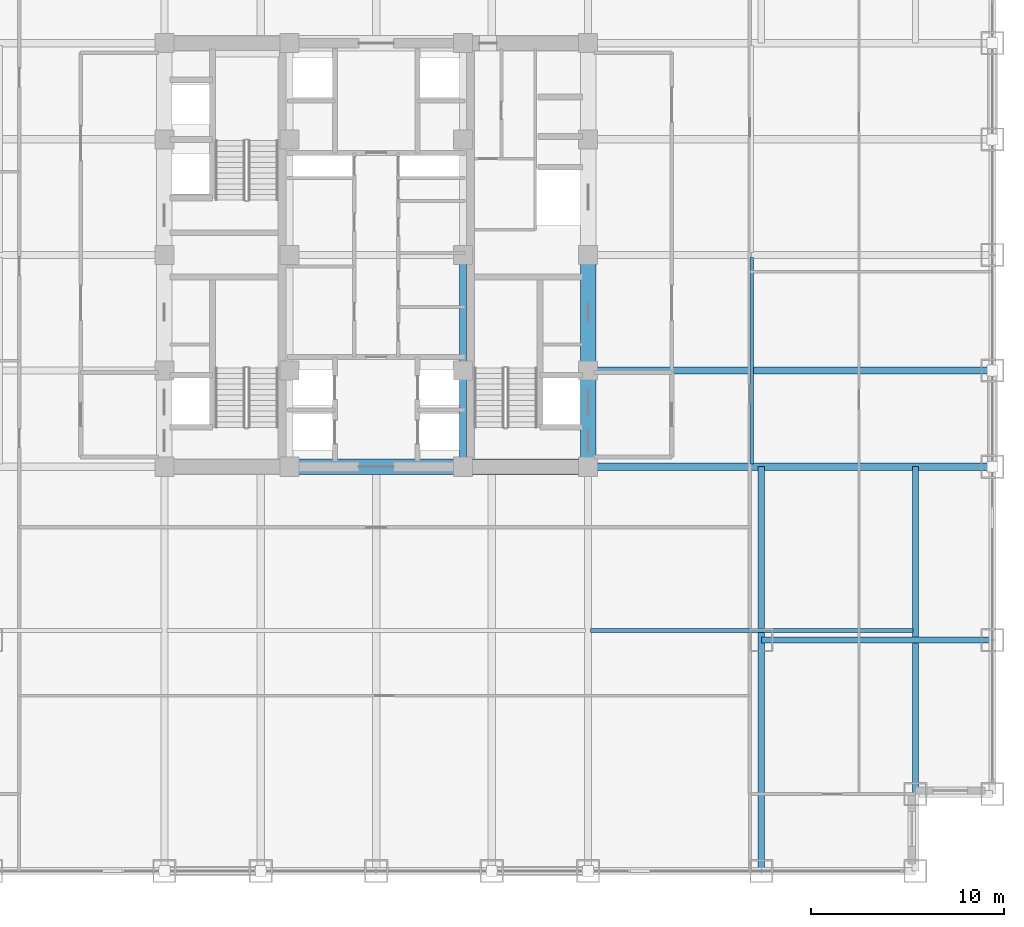
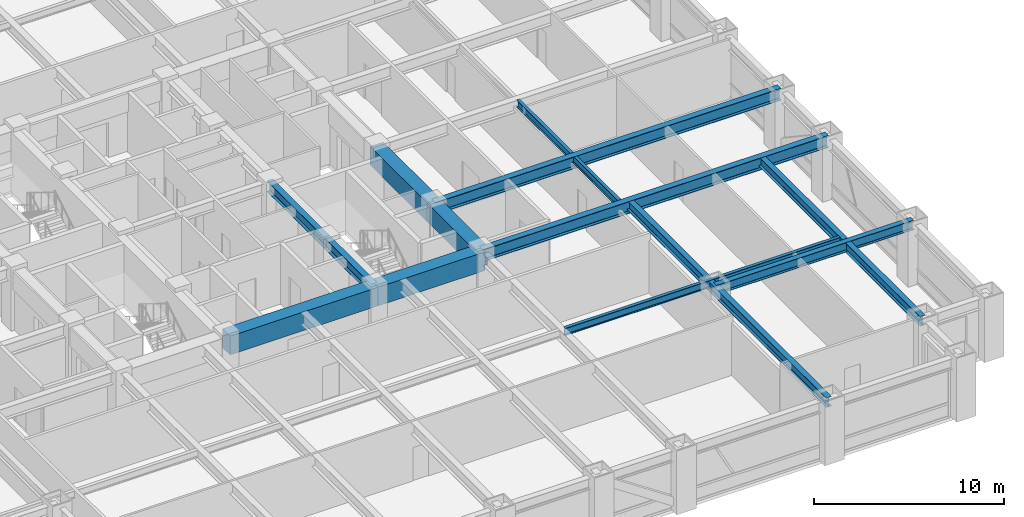
# One storey, part 7 of 28: 13 beams.
"""IFC4 building model written with IfcOpenShell, lengths in metres."""

from ifc_helpers import new_model, si_unit, direction, frame, origin, origin_2d, place, context, subcontext, project, spatial, rectangle, i_section, extrude, source, transform, mapped, material, material_profile, profile_set, type_object, element, save


model = new_model("IFC4")

# Units and contexts
model_context = context("Model", 3, precision=1e-05, world=origin(), true_north=direction((0.0, 1.0)))
body_context = subcontext(model_context, "Body", "Model", "MODEL_VIEW")
ifc_project = project(units=[si_unit("LENGTHUNIT", "METRE"), si_unit("AREAUNIT", "SQUARE_METRE"), si_unit("VOLUMEUNIT", "CUBIC_METRE"), si_unit("PLANEANGLEUNIT", "RADIAN"), si_unit("MASSUNIT", "GRAM", prefix="KILO")], contexts=[model_context])

# Site, building, storey
site_placement = place(None, origin())
site = spatial("IfcSite", under=ifc_project, at=site_placement, CompositionType="ELEMENT")
building_placement = place(site_placement, origin())
building = spatial("IfcBuilding", under=site, at=building_placement, Name="Khorayat Bourse Tower", CompositionType="ELEMENT")
storey_placement = place(building_placement, frame((0.0, 0.0, 124.199951171875)))
storey = spatial("IfcBuildingStorey", under=building, at=storey_placement, Name="L28", CompositionType="ELEMENT", Elevation=124.199951171875)

# Beams
ifc_material_1 = material(Name="Concrete C72/90", Category="concrete")
ifc_material_profile_1 = material_profile(ifc_material_1, rectangle(XDim=0.800048828125, YDim=1.199951171875, at=origin_2d()), Name="RC 800x1200")
ifc_profile_set_1 = profile_set([ifc_material_profile_1], Name="Concrete C72/90")
beam_type_1 = type_object("IfcBeamType", Name="BM-COUP-1200", PredefinedType="BEAM", material=ifc_profile_set_1)
shared_shape_1 = source(origin(), body_context, "Body", "SweptSolid", [
    extrude(rectangle(XDim=0.800048828125, YDim=1.199951171875, at=origin_2d()), origin(), (0.0, 0.0, 1.0), 5.0),
])
beam_1_placement = place(storey_placement, frame((11.0, -11.0, 3.239990234375), z_axis=(0.0, 1.0, 0.0), x_axis=(-1.0, 0.0, 0.0)))
element("IfcBeam", 1, at=beam_1_placement, inside=storey, type_object=beam_type_1, Name="L28 BM-COUP-1200 BM-L28-CRX-13", PredefinedType="BEAM", context=body_context, shape_type="MappedRepresentation", body=[
    mapped(shared_shape_1, transform((0.0, 0.0, 0.0), scale=1.0)),
])
shared_shape_2 = source(origin(), body_context, "Body", "SweptSolid", [
    extrude(rectangle(XDim=0.800048828125, YDim=1.199951171875, at=origin_2d()), origin(), (0.0, 0.0, 1.0), 6.0),
])
beam_2_placement = place(storey_placement, frame((11.0, -6.0, 3.239990234375), z_axis=(0.0, 1.0, 0.0), x_axis=(-1.0, 0.0, 0.0)))
element("IfcBeam", 2, at=beam_2_placement, inside=storey, type_object=beam_type_1, Name="L28 BM-COUP-1200 BM-L28-CRX-14", PredefinedType="BEAM", context=body_context, shape_type="MappedRepresentation", body=[
    mapped(shared_shape_2, transform((0.0, 0.0, 0.0), scale=1.0)),
])
ifc_material_2 = material(Name="Steel ASTM A992 Grade 50", Category="steel")
ifc_material_profile_2 = material_profile(ifc_material_2, i_section(OverallWidth=0.35498046875, OverallDepth=0.695068359375, WebThickness=0.015380859375, FlangeThickness=0.02490234375, FilletRadius=0.01806640625, at=origin_2d()), Name="W690X217")
ifc_profile_set_2 = profile_set([ifc_material_profile_2], Name="Steel ASTM A992 Grade 50")
beam_type_2 = type_object("IfcBeamType", Name="BM-GIRD-690", PredefinedType="BEAM", material=ifc_profile_set_2)
shared_shape_3 = source(origin(), body_context, "Body", "SweptSolid", [
    extrude(i_section(OverallWidth=0.35498046875, OverallDepth=0.695068359375, WebThickness=0.015380859375, FlangeThickness=0.02490234375, FilletRadius=0.01806640625, at=origin_2d()), origin(), (0.0, 0.0, 1.0), 5.0),
])
beam_3_placement = place(storey_placement, frame((4.5, -11.0, 3.492431640625), z_axis=(0.0, 1.0, 0.0), x_axis=(-1.0, 0.0, 0.0)))
element("IfcBeam", 3, at=beam_3_placement, inside=storey, type_object=beam_type_2, Name="L28 BM-GIRD-690 BM-L28-CRX-09", PredefinedType="BEAM", context=body_context, shape_type="MappedRepresentation", body=[
    mapped(shared_shape_3, transform((0.0, 0.0, 0.0), scale=1.0)),
])
shared_shape_4 = source(origin(), body_context, "Body", "SweptSolid", [
    extrude(i_section(OverallWidth=0.35498046875, OverallDepth=0.695068359375, WebThickness=0.015380859375, FlangeThickness=0.02490234375, FilletRadius=0.01806640625, at=origin_2d()), origin(), (0.0, 0.0, 1.0), 6.0),
])
beam_4_placement = place(storey_placement, frame((4.5, -6.0, 3.492431640625), z_axis=(0.0, 1.0, 0.0), x_axis=(-1.0, 0.0, 0.0)))
element("IfcBeam", 4, at=beam_4_placement, inside=storey, type_object=beam_type_2, Name="L28 BM-GIRD-690 BM-L28-CRX-10", PredefinedType="BEAM", context=body_context, shape_type="MappedRepresentation", body=[
    mapped(shared_shape_4, transform((0.0, 0.0, 0.0), scale=1.0)),
])
shared_shape_5 = source(origin(), body_context, "Body", "SweptSolid", [
    extrude(rectangle(XDim=0.800048828125, YDim=1.199951171875, at=origin_2d()), origin(), (0.0, 0.0, 1.0), 6.5),
])
beam_5_placement = place(storey_placement, frame((4.5, -11.0, 3.239990234375), z_axis=(1.0, 0.0, 0.0), x_axis=(0.0, 1.0, 0.0)))
element("IfcBeam", 5, at=beam_5_placement, inside=storey, type_object=beam_type_1, Name="L28 BM-COUP-1200 BM-L28-CRY-19", PredefinedType="BEAM", context=body_context, shape_type="MappedRepresentation", body=[
    mapped(shared_shape_5, transform((0.0, 0.0, 0.0), scale=1.0)),
])
shared_shape_6 = source(origin(), body_context, "Body", "SweptSolid", [
    extrude(rectangle(XDim=0.800048828125, YDim=1.199951171875, at=origin_2d()), origin(), (0.0, 0.0, 1.0), 9.0),
])
beam_6_placement = place(storey_placement, frame((-4.5, -11.0, 3.239990234375), z_axis=(1.0, 0.0, 0.0), x_axis=(0.0, 1.0, 0.0)))
element("IfcBeam", 6, at=beam_6_placement, inside=storey, type_object=beam_type_1, Name="L28 BM-COUP-1200 BM-L28-CRY-18", PredefinedType="BEAM", context=body_context, shape_type="MappedRepresentation", body=[
    mapped(shared_shape_6, transform((0.0, 0.0, 0.0), scale=1.0)),
])
ifc_material_profile_3 = material_profile(ifc_material_2, i_section(OverallWidth=0.324951171875, OverallDepth=0.615966796875, WebThickness=0.013916015625, FlangeThickness=0.021484375, FilletRadius=0.01611328125, at=origin_2d()), Name="W610X174")
ifc_profile_set_3 = profile_set([ifc_material_profile_3], Name="Steel ASTM A992 Grade 50")
beam_type_3 = type_object("IfcBeamType", Name="BM-GIRD-610", PredefinedType="BEAM", material=ifc_profile_set_3)
shared_shape_7 = source(origin(), body_context, "Body", "SweptSolid", [
    extrude(i_section(OverallWidth=0.324951171875, OverallDepth=0.615966796875, WebThickness=0.013916015625, FlangeThickness=0.021484375, FilletRadius=0.01611328125, at=origin_2d()), origin(), (0.0, 0.0, 1.0), 21.0),
])
beam_7_placement = place(storey_placement, frame((20.0, -32.0, 3.531982421875), z_axis=(0.0, 1.0, 0.0), x_axis=(-1.0, 0.0, 0.0)))
element("IfcBeam", 7, at=beam_7_placement, inside=storey, type_object=beam_type_3, Name="L28 BM-GIRD-610 BM-L28-CNRY-086", PredefinedType="BEAM", context=body_context, shape_type="MappedRepresentation", body=[
    mapped(shared_shape_7, transform((0.0, 0.0, 0.0), scale=1.0)),
])
shared_shape_8 = source(origin(), body_context, "Body", "SweptSolid", [
    extrude(i_section(OverallWidth=0.324951171875, OverallDepth=0.615966796875, WebThickness=0.013916015625, FlangeThickness=0.021484375, FilletRadius=0.01611328125, at=origin_2d()), origin(), (0.0, 0.0, 1.0), 12.0),
])
beam_8_placement = place(storey_placement, frame((20.0, -20.0, 3.531982421875), z_axis=(1.0, 0.0, 0.0), x_axis=(0.0, 1.0, 0.0)))
element("IfcBeam", 8, at=beam_8_placement, inside=storey, type_object=beam_type_3, Name="L28 BM-GIRD-610 BM-L28-CNRX-092", PredefinedType="BEAM", context=body_context, shape_type="MappedRepresentation", body=[
    mapped(shared_shape_8, transform((0.0, 0.0, 0.0), scale=1.0)),
])
ifc_material_profile_4 = material_profile(ifc_material_2, i_section(OverallWidth=0.194091796875, OverallDepth=0.468994140625, WebThickness=0.0126953125, FlangeThickness=0.0205078125, FilletRadius=0.012939453125, at=origin_2d()), Name="W460X106")
ifc_profile_set_4 = profile_set([ifc_material_profile_4], Name="Steel ASTM A992 Grade 50")
beam_type_4 = type_object("IfcBeamType", Name="BM-JOIST-460", PredefinedType="JOIST", material=ifc_profile_set_4)
shared_shape_9 = source(origin(), body_context, "Body", "SweptSolid", [
    extrude(i_section(OverallWidth=0.194091796875, OverallDepth=0.468994140625, WebThickness=0.0126953125, FlangeThickness=0.0205078125, FilletRadius=0.012939453125, at=origin_2d()), origin(), (0.0, 0.0, 1.0), 10.740234375),
])
beam_9_placement = place(storey_placement, frame((19.5, -10.8701171875, 3.60546875), z_axis=(0.0, 1.0, 0.0), x_axis=(-1.0, 0.0, 0.0)))
element("IfcBeam", 9, at=beam_9_placement, inside=storey, type_object=beam_type_4, Name="L28 BM-JOIST-460 BM-L28-JSTY-104", PredefinedType="JOIST", context=body_context, shape_type="MappedRepresentation", body=[
    mapped(shared_shape_9, transform((0.0, 0.0, 0.0), scale=1.0)),
])
ifc_material_profile_5 = material_profile(ifc_material_2, i_section(OverallWidth=0.381103515625, OverallDepth=0.77294921875, WebThickness=0.0166015625, FlangeThickness=0.027587890625, FilletRadius=0.01806640625, at=origin_2d()), Name="W760X257")
ifc_profile_set_5 = profile_set([ifc_material_profile_5], Name="Steel ASTM A992 Grade 50")
beam_type_5 = type_object("IfcBeamType", Name="BM-GIRD-760", PredefinedType="BEAM", material=ifc_profile_set_5)
shared_shape_10 = source(origin(), body_context, "Body", "SweptSolid", [
    extrude(i_section(OverallWidth=0.381103515625, OverallDepth=0.77294921875, WebThickness=0.0166015625, FlangeThickness=0.027587890625, FilletRadius=0.01806640625, at=origin_2d()), origin(), (0.0, 0.0, 1.0), 21.0),
])
for number, where, z_axis, x_axis, name in (
    (10, (11.0, -11.0, 3.45361328125), (1.0, 0.0, 0.0), (0.0, 1.0, 0.0), "L28 BM-GIRD-760 BM-L28-RADX-074"),
    (11, (11.0, -6.0, 3.45361328125), (1.0, 0.0, 0.0), (0.0, 1.0, 0.0), "L28 BM-GIRD-760 BM-L28-RADX-076"),
):
    element("IfcBeam", number, at=place(storey_placement, frame(where, z_axis=z_axis, x_axis=x_axis)), inside=storey, type_object=beam_type_5, Name=name, PredefinedType="BEAM", context=body_context, shape_type="MappedRepresentation", body=[
        mapped(shared_shape_10, transform((0.0, 0.0, 0.0), scale=1.0)),
    ])
shared_shape_11 = source(origin(), body_context, "Body", "SweptSolid", [
    extrude(i_section(OverallWidth=0.324951171875, OverallDepth=0.615966796875, WebThickness=0.013916015625, FlangeThickness=0.021484375, FilletRadius=0.01611328125, at=origin_2d()), origin(), (0.0, 0.0, 1.0), 17.0),
])
beam_10_placement = place(storey_placement, frame((28.0, -28.0, 3.531982421875), z_axis=(0.0, 1.0, 0.0), x_axis=(-1.0, 0.0, 0.0)))
element("IfcBeam", 12, at=beam_10_placement, inside=storey, type_object=beam_type_3, Name="L28 BM-GIRD-610 BM-L28-CNRY-090", PredefinedType="BEAM", context=body_context, shape_type="MappedRepresentation", body=[
    mapped(shared_shape_11, transform((0.0, 0.0, 0.0), scale=1.0)),
])
shared_shape_12 = source(origin(), body_context, "Body", "SweptSolid", [
    extrude(i_section(OverallWidth=0.194091796875, OverallDepth=0.468994140625, WebThickness=0.0126953125, FlangeThickness=0.0205078125, FilletRadius=0.012939453125, at=origin_2d()), origin(), (0.0, 0.0, 1.0), 16.740234375),
])
beam_11_placement = place(storey_placement, frame((11.1298828125, -19.5, 3.60546875), z_axis=(1.0, 0.0, 0.0), x_axis=(0.0, 1.0, 0.0)))
element("IfcBeam", 13, at=beam_11_placement, inside=storey, type_object=beam_type_4, Name="L28 BM-JOIST-460 BM-L28-JSTX-098", PredefinedType="JOIST", context=body_context, shape_type="MappedRepresentation", body=[
    mapped(shared_shape_12, transform((0.0, 0.0, 0.0), scale=1.0)),
])

save(model, "model.ifc")
